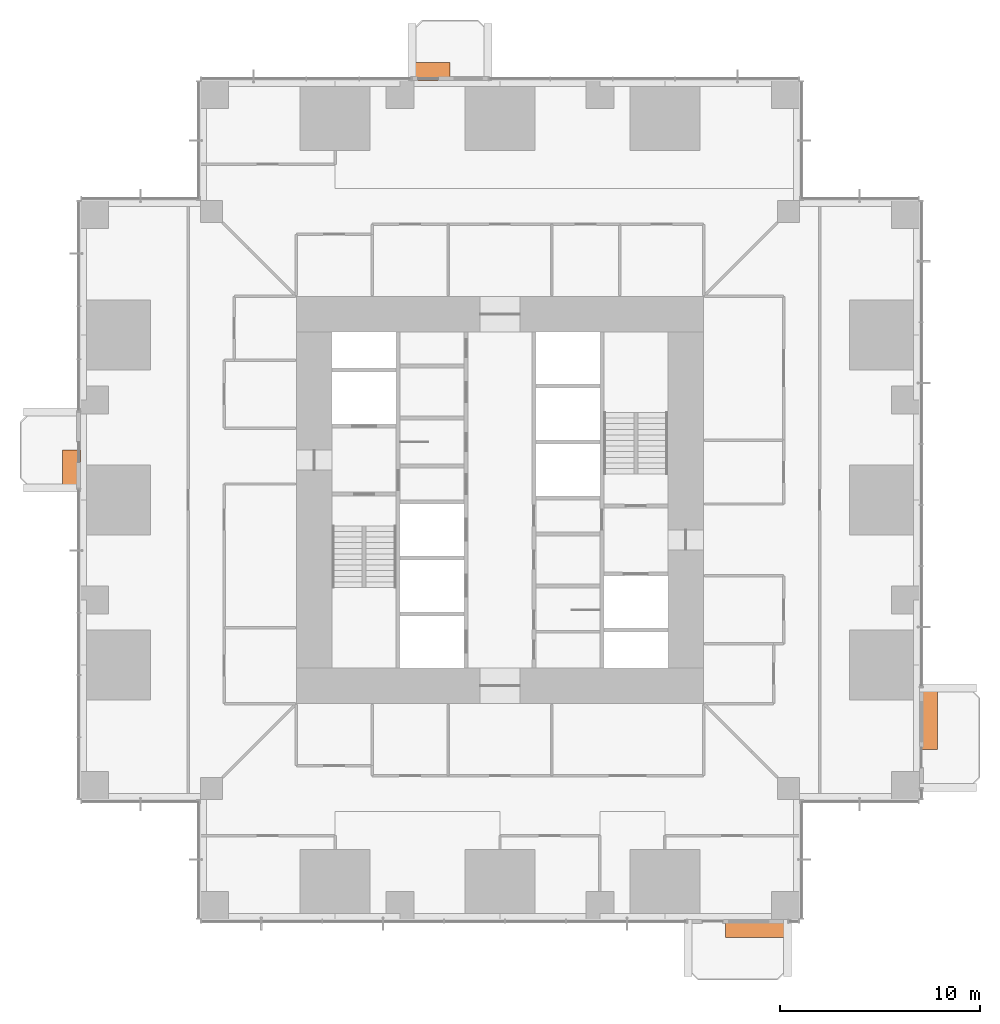
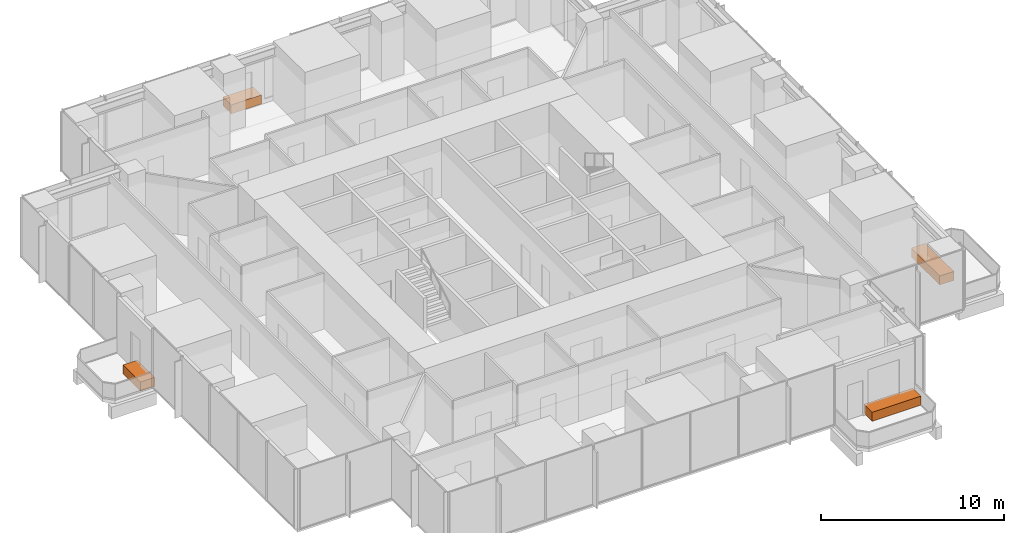
# One storey, part 15 of 15: 4 proxies.
"""IFC4 building model written with IfcOpenShell, lengths in metres."""

from ifc_helpers import new_model, si_unit, direction, frame, origin, origin_2d, place, context, subcontext, project, spatial, rectangle, extrude, element, save


model = new_model("IFC4")

# Units and contexts
model_context = context("Model", 3, precision=1e-05, world=origin(), true_north=direction((0.0, 1.0)))
body_context = subcontext(model_context, "Body", "Model", "MODEL_VIEW")
ifc_project = project(units=[si_unit("LENGTHUNIT", "METRE"), si_unit("AREAUNIT", "SQUARE_METRE"), si_unit("VOLUMEUNIT", "CUBIC_METRE"), si_unit("PLANEANGLEUNIT", "RADIAN"), si_unit("MASSUNIT", "GRAM", prefix="KILO")], contexts=[model_context])

# Site, building, storey
site_placement = place(None, origin())
site = spatial("IfcSite", under=ifc_project, at=site_placement, CompositionType="ELEMENT")
building_placement = place(site_placement, origin())
building = spatial("IfcBuilding", under=site, at=building_placement, Name="Svetlomir Tower", CompositionType="ELEMENT")
storey_placement = place(building_placement, frame((0.0, 0.0, 26.5)))
storey = spatial("IfcBuildingStorey", under=building, at=storey_placement, Name="L05", CompositionType="ELEMENT", Elevation=26.5)

# Proxies
proxy_1_placement = place(storey_placement, frame((33.85009765625, -0.449951171875, 0.0400390625), z_axis=(0.0, 0.0, 1.0), x_axis=(1.0, 0.0, 0.0)))
element("IfcBuildingElementProxy", 1, at=proxy_1_placement, inside=storey, Name="Tree planter S L05", ObjectType="PLANTER", PredefinedType="USERDEFINED", context=body_context, shape_type="SweptSolid", body=[
    extrude(rectangle(XDim=3.10009765625, YDim=0.89990234375, at=origin_2d()), origin(), (0.0, 0.0, 1.0), 0.60009765625),
])
proxy_2_placement = place(storey_placement, frame((42.449951171875, 10.050048828125, 0.0400390625), z_axis=(0.0, 0.0, 1.0), x_axis=(1.0, 0.0, 0.0)))
element("IfcBuildingElementProxy", 2, at=proxy_2_placement, inside=storey, Name="Tree planter E L05", ObjectType="PLANTER", PredefinedType="USERDEFINED", context=body_context, shape_type="SweptSolid", body=[
    extrude(rectangle(XDim=0.89990234375, YDim=3.10009765625, at=origin_2d()), origin(), (0.0, 0.0, 1.0), 0.60009765625),
])
proxy_3_placement = place(storey_placement, frame((17.550048828125, 42.449951171875, 0.0400390625), z_axis=(0.0, 0.0, 1.0), x_axis=(1.0, 0.0, 0.0)))
element("IfcBuildingElementProxy", 3, at=proxy_3_placement, inside=storey, Name="Tree planter N L05", ObjectType="PLANTER", PredefinedType="USERDEFINED", context=body_context, shape_type="SweptSolid", body=[
    extrude(rectangle(XDim=1.89990234375, YDim=0.89990234375, at=origin_2d()), origin(), (0.0, 0.0, 1.0), 0.60009765625),
])
proxy_4_placement = place(storey_placement, frame((-0.449951171875, 22.550048828125, 0.0400390625), z_axis=(0.0, 0.0, 1.0), x_axis=(1.0, 0.0, 0.0)))
element("IfcBuildingElementProxy", 4, at=proxy_4_placement, inside=storey, Name="Tree planter W L05", ObjectType="PLANTER", PredefinedType="USERDEFINED", context=body_context, shape_type="SweptSolid", body=[
    extrude(rectangle(XDim=0.89990234375, YDim=1.89990234375, at=origin_2d()), origin(), (0.0, 0.0, 1.0), 0.60009765625),
])

save(model, "model.ifc")
